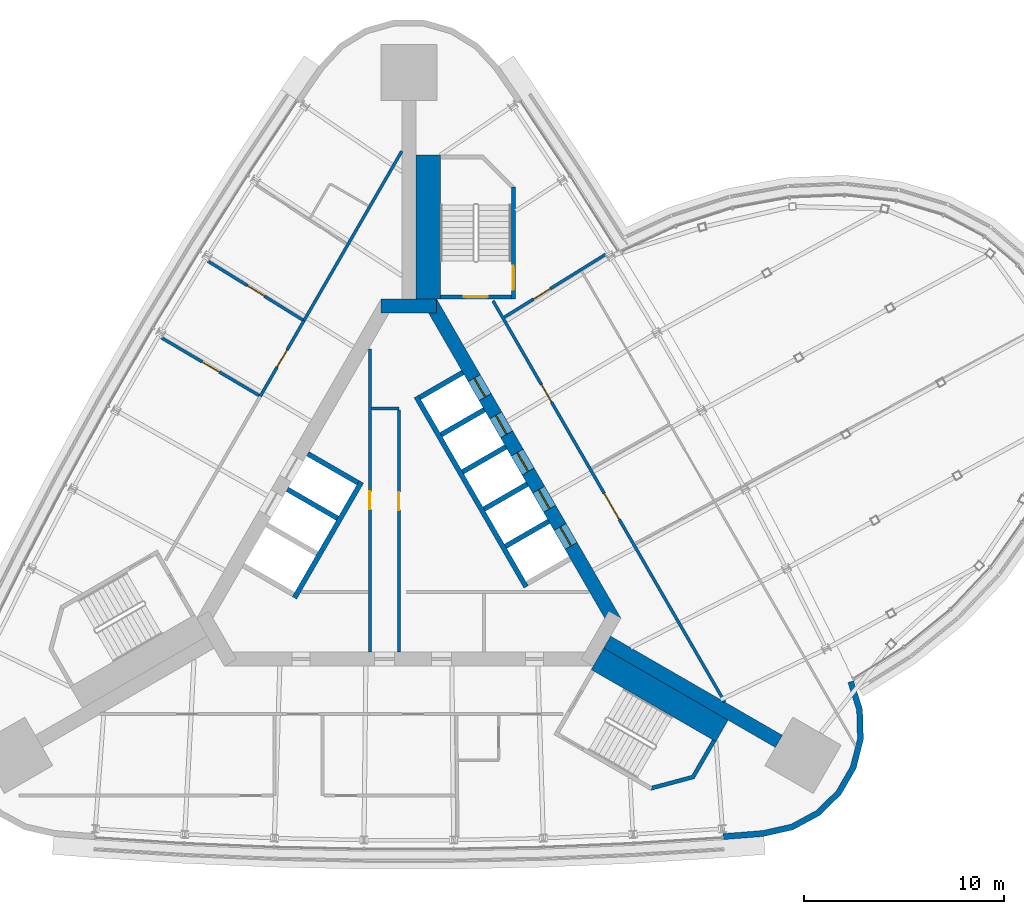
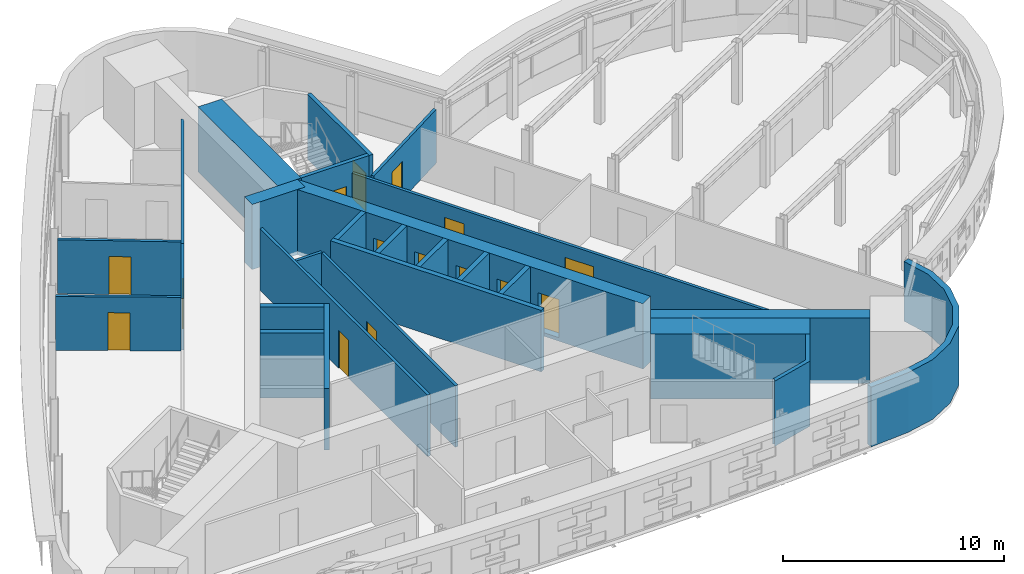
# One storey, part 11 of 15: 27 walls, 15 doors, 15 openings.
"""IFC4 building model written with IfcOpenShell, lengths in metres."""

from ifc_helpers import new_model, si_unit, direction, frame, frame_2d, origin, place, context, subcontext, project, spatial, polyline, rectangle, outline, extrude, material, layer, layer_set, type_object, element, fill, save


model = new_model("IFC4")

# Units and contexts
model_context = context("Model", 3, precision=1e-05, world=origin(), true_north=direction((0.0, 1.0)))
body_context = subcontext(model_context, "Body", "Model", "MODEL_VIEW")
ifc_project = project(units=[si_unit("LENGTHUNIT", "METRE"), si_unit("AREAUNIT", "SQUARE_METRE"), si_unit("VOLUMEUNIT", "CUBIC_METRE"), si_unit("PLANEANGLEUNIT", "RADIAN"), si_unit("MASSUNIT", "GRAM", prefix="KILO")], contexts=[model_context])

# Site, building, storey
site_placement = place(None, origin())
site = spatial("IfcSite", under=ifc_project, at=site_placement, CompositionType="ELEMENT")
building_placement = place(site_placement, origin())
building = spatial("IfcBuilding", under=site, at=building_placement, Name="Noor Cloister Tower", CompositionType="ELEMENT")
storey_placement = place(building_placement, frame((0.0, 0.0, 181.5)))
storey = spatial("IfcBuildingStorey", under=building, at=storey_placement, Name="L46", CompositionType="ELEMENT", Elevation=181.5)

# Wall
ifc_material_1 = material(Name="Concrete C70/85", Category="concrete")
ifc_layer_1 = layer(ifc_material_1, 0.699951171875)
ifc_layer_set_1 = layer_set([ifc_layer_1], Name="Buttress wall 700 C70/85")
wall_type_1 = type_object("IfcWallType", Name="Buttress wall 700 C70/85", PredefinedType="SHEAR", material=ifc_layer_set_1)
wall_1_placement = place(storey_placement, frame((9.921630859375, -5.728271484375, -0.199951171875), z_axis=(0.0, 0.0, 1.0), x_axis=(0.866029553954, -0.499992811627, 0.0)))
element("IfcWall", 1, at=wall_1_placement, inside=storey, type_object=wall_type_1, Name="Buttress wall SE L46", PredefinedType="SHEAR", context=body_context, shape_type="SweptSolid", body=[
    extrude(rectangle(XDim=9.927490234375, YDim=0.699951171875, at=frame_2d((4.9638671875, 0.0))), origin(), (0.0, 0.0, 1.0), 3.599853515625),
])

# Wall, opening, door
ifc_material_2 = material(Name="Concrete C30/37", Category="concrete")
ifc_layer_2 = layer(ifc_material_2, 0.14990234375)
ifc_layer_set_2 = layer_set([ifc_layer_2], Name="Core partition 150 C30/37")
wall_type_2 = type_object("IfcWallType", Name="Core partition 150 C30/37", PredefinedType="PARTITIONING", material=ifc_layer_set_2)
wall_2_placement = place(storey_placement, frame((-1.95361328125, 8.9423828125, 0.0), z_axis=(0.0, 0.0, 1.0), x_axis=(0.0, -1.0, 0.0)))
wall_2 = element("IfcWall", 2, at=wall_2_placement, inside=storey, type_object=wall_type_2, Name="Core room partition L46 2", PredefinedType="PARTITIONING", context=body_context, shape_type="SweptSolid", body=[
    extrude(rectangle(XDim=15.170654296875, YDim=0.14990234375, at=frame_2d((7.58544921875, 0.0))), origin(), (0.0, 0.0, 1.0), 3.39990234375),
])
opening_1_placement = place(wall_2_placement, frame((7.12060546875, 0.0, 0.0)))
opening_1 = element("IfcOpeningElement", 3, at=opening_1_placement, cuts=wall_2, Name="Opening L46-905", PredefinedType="OPENING", context=body_context, shape_type="SweptSolid", body=[
    extrude(rectangle(XDim=0.89990234375, YDim=2.10009765625, at=frame_2d((0.449951171875, 1.050048828125))), frame((0.0, 0.0849609375, 0.0), z_axis=(0.0, -1.0, 0.0), x_axis=(1.0, 0.0, 0.0)), (0.0, 0.0, 1.0), 0.169921875),
])
ifc_material_3 = material(Name="Steel", Category="steel")
door_type_1 = type_object("IfcDoorType", Name="Core door 900 x 2100 FD60", OperationType="SINGLE_SWING_LEFT", PredefinedType="DOOR", material=ifc_material_3)
door_1_placement = place(opening_1_placement, origin())
door_1 = element("IfcDoor", 4, at=door_1_placement, inside=storey, type_object=door_type_1, Name="Core door 5 L46", OperationType="SINGLE_SWING_LEFT", OverallHeight=2.10009765625, OverallWidth=0.89990234375, PredefinedType="DOOR", context=body_context, shape_type="SweptSolid", body=[
    extrude(rectangle(XDim=0.89990234375, YDim=2.10009765625, at=frame_2d((0.449951171875, 1.050048828125))), frame((0.0, 0.02490234375, 0.0), z_axis=(0.0, -1.0, 0.0), x_axis=(1.0, 0.0, 0.0)), (0.0, 0.0, 1.0), 0.050048828125),
])
fill(opening_1, door_1)

# Wall
wall_3_placement = place(storey_placement, frame((-1.878662109375, 5.9716796875, 0.0), z_axis=(0.0, 0.0, 1.0), x_axis=(1.0, 0.0, 0.0)))
element("IfcWall", 5, at=wall_3_placement, inside=storey, type_object=wall_type_2, Name="Core room partition L46 3", PredefinedType="PARTITIONING", context=body_context, shape_type="SweptSolid", body=[
    extrude(rectangle(XDim=1.375, YDim=0.14990234375, at=frame_2d((0.6875, 0.0))), origin(), (0.0, 0.0, 1.0), 3.39990234375),
])

# Wall, opening, door
wall_4_placement = place(storey_placement, frame((-0.503662109375, 5.896728515625, 0.0), z_axis=(0.0, 0.0, 1.0), x_axis=(0.0, -1.0, 0.0)))
wall_4 = element("IfcWall", 6, at=wall_4_placement, inside=storey, type_object=wall_type_2, Name="Core room partition L46 4", PredefinedType="PARTITIONING", context=body_context, shape_type="SweptSolid", body=[
    extrude(rectangle(XDim=12.125, YDim=0.14990234375, at=frame_2d((6.0625, 0.0))), origin(), (0.0, 0.0, 1.0), 3.39990234375),
])
opening_2_placement = place(wall_4_placement, frame((4.113525390625, 0.0, 0.0)))
opening_2 = element("IfcOpeningElement", 7, at=opening_2_placement, cuts=wall_4, Name="Opening L46-906", PredefinedType="OPENING", context=body_context, shape_type="SweptSolid", body=[
    extrude(rectangle(XDim=0.89990234375, YDim=2.10009765625, at=frame_2d((0.449951171875, 1.050048828125))), frame((0.0, 0.0849609375, 0.0), z_axis=(0.0, -1.0, 0.0), x_axis=(1.0, 0.0, 0.0)), (0.0, 0.0, 1.0), 0.169921875),
])
door_2_placement = place(opening_2_placement, origin())
door_2 = element("IfcDoor", 8, at=door_2_placement, inside=storey, type_object=door_type_1, Name="Core door 6 L46", OperationType="SINGLE_SWING_RIGHT", OverallHeight=2.10009765625, OverallWidth=0.89990234375, PredefinedType="DOOR", context=body_context, shape_type="SweptSolid", body=[
    extrude(rectangle(XDim=0.89990234375, YDim=2.10009765625, at=frame_2d((0.449951171875, 1.050048828125))), frame((0.0, 0.02490234375, 0.0), z_axis=(0.0, -1.0, 0.0), x_axis=(1.0, 0.0, 0.0)), (0.0, 0.0, 1.0), 0.050048828125),
])
fill(opening_2, door_2)

# Wall, openings, doors
ifc_material_4 = material(Name="Concrete C70/85", Category="concrete")
ifc_layer_3 = layer(ifc_material_4, 0.699951171875)
ifc_layer_set_3 = layer_set([ifc_layer_3], Name="Core wall 700 C70/85")
wall_type_3 = type_object("IfcWallType", Name="Core wall 700 C70/85", PredefinedType="SHEAR", material=ifc_layer_set_3)
wall_5_placement = place(storey_placement, frame((10.311279296875, -4.703125, -0.199951171875), z_axis=(0.0, 0.0, 1.0), x_axis=(-0.500001446645, 0.866024568562, 0.0)))
wall_5 = element("IfcWall", 9, at=wall_5_placement, inside=storey, type_object=wall_type_3, Name="Core wall L46 3", PredefinedType="SHEAR", context=body_context, shape_type="SweptSolid", body=[
    extrude(rectangle(XDim=18.45751953125, YDim=0.699951171875, at=frame_2d((9.228759765625, 0.0))), origin(), (0.0, 0.0, 1.0), 3.599853515625),
])
opening_3_placement = place(wall_5_placement, frame((4.378662109375, 0.0, 0.199951171875)))
opening_3 = element("IfcOpeningElement", 10, at=opening_3_placement, cuts=wall_5, Name="Opening L46-HR1", PredefinedType="OPENING", context=body_context, shape_type="SweptSolid", body=[
    extrude(rectangle(XDim=1.10009765625, YDim=2.10009765625, at=frame_2d((0.550048828125, 1.050048828125))), frame((0.0, 0.35986328125, 0.0), z_axis=(0.0, -1.0, 0.0), x_axis=(1.0, 0.0, 0.0)), (0.0, 0.0, 1.0), 0.719970703125),
])
opening_4_placement = place(wall_5_placement, frame((6.52880859375, 0.0, 0.199951171875)))
opening_4 = element("IfcOpeningElement", 11, at=opening_4_placement, cuts=wall_5, Name="Opening L46-HR2", PredefinedType="OPENING", context=body_context, shape_type="SweptSolid", body=[
    extrude(rectangle(XDim=1.10009765625, YDim=2.10009765625, at=frame_2d((0.550048828125, 1.050048828125))), frame((0.0, 0.35986328125, 0.0), z_axis=(0.0, -1.0, 0.0), x_axis=(1.0, 0.0, 0.0)), (0.0, 0.0, 1.0), 0.719970703125),
])
opening_5_placement = place(wall_5_placement, frame((8.6787109375, 0.0, 0.199951171875)))
opening_5 = element("IfcOpeningElement", 12, at=opening_5_placement, cuts=wall_5, Name="Opening L46-HR3", PredefinedType="OPENING", context=body_context, shape_type="SweptSolid", body=[
    extrude(rectangle(XDim=1.10009765625, YDim=2.10009765625, at=frame_2d((0.550048828125, 1.050048828125))), frame((0.0, 0.35986328125, 0.0), z_axis=(0.0, -1.0, 0.0), x_axis=(1.0, 0.0, 0.0)), (0.0, 0.0, 1.0), 0.719970703125),
])
opening_6_placement = place(wall_5_placement, frame((10.82861328125, 0.0, 0.199951171875)))
opening_6 = element("IfcOpeningElement", 13, at=opening_6_placement, cuts=wall_5, Name="Opening L46-HR4", PredefinedType="OPENING", context=body_context, shape_type="SweptSolid", body=[
    extrude(rectangle(XDim=1.10009765625, YDim=2.10009765625, at=frame_2d((0.550048828125, 1.050048828125))), frame((0.0, 0.35986328125, 0.0), z_axis=(0.0, -1.0, 0.0), x_axis=(1.0, 0.0, 0.0)), (0.0, 0.0, 1.0), 0.719970703125),
])
opening_7_placement = place(wall_5_placement, frame((12.978759765625, 0.0, 0.199951171875)))
opening_7 = element("IfcOpeningElement", 14, at=opening_7_placement, cuts=wall_5, Name="Opening L46-HR5", PredefinedType="OPENING", context=body_context, shape_type="SweptSolid", body=[
    extrude(rectangle(XDim=1.10009765625, YDim=2.10009765625, at=frame_2d((0.550048828125, 1.050048828125))), frame((0.0, 0.35986328125, 0.0), z_axis=(0.0, -1.0, 0.0), x_axis=(1.0, 0.0, 0.0)), (0.0, 0.0, 1.0), 0.719970703125),
])
ifc_material_5 = material(Name="Stainless steel", Category="steel")
door_type_2 = type_object("IfcDoorType", Name="Lift landing door 1100 x 2100", OperationType="DOUBLE_DOOR_SLIDING", PredefinedType="DOOR", material=ifc_material_5)
door_3_placement = place(opening_3_placement, origin())
door_3 = element("IfcDoor", 15, at=door_3_placement, inside=storey, type_object=door_type_2, Name="Landing door HR1 L46", OperationType="DOUBLE_DOOR_SLIDING", OverallHeight=2.10009765625, OverallWidth=1.10009765625, PredefinedType="DOOR", context=body_context, shape_type="SweptSolid", body=[
    extrude(rectangle(XDim=1.10009765625, YDim=2.10009765625, at=frame_2d((0.550048828125, 1.050048828125))), frame((0.0, 0.02490234375, 0.0), z_axis=(0.0, -1.0, 0.0), x_axis=(1.0, 0.0, 0.0)), (0.0, 0.0, 1.0), 0.050048828125),
])
fill(opening_3, door_3)
door_4_placement = place(opening_4_placement, origin())
door_4 = element("IfcDoor", 16, at=door_4_placement, inside=storey, type_object=door_type_2, Name="Landing door HR2 L46", OperationType="DOUBLE_DOOR_SLIDING", OverallHeight=2.10009765625, OverallWidth=1.10009765625, PredefinedType="DOOR", context=body_context, shape_type="SweptSolid", body=[
    extrude(rectangle(XDim=1.10009765625, YDim=2.10009765625, at=frame_2d((0.550048828125, 1.050048828125))), frame((0.0, 0.02490234375, 0.0), z_axis=(0.0, -1.0, 0.0), x_axis=(1.0, 0.0, 0.0)), (0.0, 0.0, 1.0), 0.050048828125),
])
fill(opening_4, door_4)
door_5_placement = place(opening_5_placement, origin())
door_5 = element("IfcDoor", 17, at=door_5_placement, inside=storey, type_object=door_type_2, Name="Landing door HR3 L46", OperationType="DOUBLE_DOOR_SLIDING", OverallHeight=2.10009765625, OverallWidth=1.10009765625, PredefinedType="DOOR", context=body_context, shape_type="SweptSolid", body=[
    extrude(rectangle(XDim=1.10009765625, YDim=2.10009765625, at=frame_2d((0.550048828125, 1.050048828125))), frame((0.0, 0.02490234375, 0.0), z_axis=(0.0, -1.0, 0.0), x_axis=(1.0, 0.0, 0.0)), (0.0, 0.0, 1.0), 0.050048828125),
])
fill(opening_5, door_5)
door_6_placement = place(opening_6_placement, origin())
door_6 = element("IfcDoor", 18, at=door_6_placement, inside=storey, type_object=door_type_2, Name="Landing door HR4 L46", OperationType="DOUBLE_DOOR_SLIDING", OverallHeight=2.10009765625, OverallWidth=1.10009765625, PredefinedType="DOOR", context=body_context, shape_type="SweptSolid", body=[
    extrude(rectangle(XDim=1.10009765625, YDim=2.10009765625, at=frame_2d((0.550048828125, 1.050048828125))), frame((0.0, 0.02490234375, 0.0), z_axis=(0.0, -1.0, 0.0), x_axis=(1.0, 0.0, 0.0)), (0.0, 0.0, 1.0), 0.050048828125),
])
fill(opening_6, door_6)
door_7_placement = place(opening_7_placement, origin())
door_7 = element("IfcDoor", 19, at=door_7_placement, inside=storey, type_object=door_type_2, Name="Landing door HR5 L46", OperationType="DOUBLE_DOOR_SLIDING", OverallHeight=2.10009765625, OverallWidth=1.10009765625, PredefinedType="DOOR", context=body_context, shape_type="SweptSolid", body=[
    extrude(rectangle(XDim=1.10009765625, YDim=2.10009765625, at=frame_2d((0.550048828125, 1.050048828125))), frame((0.0, 0.02490234375, 0.0), z_axis=(0.0, -1.0, 0.0), x_axis=(1.0, 0.0, 0.0)), (0.0, 0.0, 1.0), 0.050048828125),
])
fill(opening_7, door_7)

# Walls
wall_6_placement = place(storey_placement, frame((1.3857421875, 11.1064453125, -0.199951171875), z_axis=(0.0, 0.0, 1.0), x_axis=(-1.0, 0.0, 0.0)))
element("IfcWall", 20, at=wall_6_placement, inside=storey, type_object=wall_type_3, Name="Core wall L46 4", PredefinedType="SHEAR", context=body_context, shape_type="SweptSolid", body=[
    extrude(rectangle(XDim=2.771484375, YDim=0.699951171875, at=frame_2d((1.3857421875, 0.0))), origin(), (0.0, 0.0, 1.0), 3.599853515625),
])
ifc_material_6 = material(Name="Fire-rated gypsum board partition on steel studs, 150 mm", Category="steel")
ifc_layer_4 = layer(ifc_material_6, 0.14990234375)
ifc_layer_set_4 = layer_set([ifc_layer_4], Name="Fire lobby wall 150")
wall_type_4 = type_object("IfcWallType", Name="Fire lobby wall 150", PredefinedType="PARTITIONING", material=ifc_layer_set_4)
wall_7_placement = place(storey_placement, frame((-0.35009765625, 18.85009765625, 0.0), z_axis=(0.0, 0.0, 1.0), x_axis=(-0.499985463203, -0.866033796445, 0.0)))
element("IfcWall", 21, at=wall_7_placement, inside=storey, type_object=wall_type_4, Name="Wall L46-W18", PredefinedType="PARTITIONING", context=body_context, shape_type="SweptSolid", body=[
    extrude(rectangle(XDim=9.802978515625, YDim=0.14990234375, at=frame_2d((4.9013671875, 0.0))), origin(), (0.0, 0.0, 1.0), 2.846923828125),
])

# Wall, opening, door
wall_8_placement = place(storey_placement, frame((-5.25146484375, 10.3603515625, 0.0), z_axis=(0.0, 0.0, 1.0), x_axis=(-0.500012937857, -0.86601793398, 0.0)))
wall_8 = element("IfcWall", 22, at=wall_8_placement, inside=storey, type_object=wall_type_4, Name="Wall L46-W22", PredefinedType="PARTITIONING", context=body_context, shape_type="SweptSolid", body=[
    extrude(rectangle(XDim=4.365234375, YDim=0.14990234375, at=frame_2d((2.1826171875, 0.0))), origin(), (0.0, 0.0, 1.0), 2.846923828125),
])
opening_8_placement = place(wall_8_placement, frame((1.6826171875, 0.0, 0.0)))
opening_8 = element("IfcOpeningElement", 23, at=opening_8_placement, cuts=wall_8, Name="Opening L46-015", PredefinedType="OPENING", context=body_context, shape_type="SweptSolid", body=[
    extrude(rectangle(XDim=1.0, YDim=2.10009765625, at=frame_2d((0.5, 1.050048828125))), frame((0.0, 0.0849609375, 0.0), z_axis=(0.0, -1.0, 0.0), x_axis=(1.0, 0.0, 0.0)), (0.0, 0.0, 1.0), 0.169921875),
])
ifc_material_7 = material(Name="Timber door leaf with steel frame", Category="steel")
door_type_3 = type_object("IfcDoorType", Name="Fire lobby door 1000", OperationType="NOTDEFINED", PredefinedType="DOOR", material=ifc_material_7)
door_8_placement = place(opening_8_placement, origin())
door_8 = element("IfcDoor", 24, at=door_8_placement, inside=storey, type_object=door_type_3, Name="Door L46-015", OperationType="SINGLE_SWING_LEFT", OverallHeight=2.10009765625, OverallWidth=1.0, PredefinedType="DOOR", context=body_context, shape_type="SweptSolid", body=[
    extrude(rectangle(XDim=1.0, YDim=2.10009765625, at=frame_2d((0.5, 1.050048828125))), frame((0.0, 0.02490234375, 0.0), z_axis=(0.0, -1.0, 0.0), x_axis=(1.0, 0.0, 0.0)), (0.0, 0.0, 1.0), 0.050048828125),
])
fill(opening_8, door_8)

# Wall, openings, doors
ifc_material_8 = material(Name="Gypsum board partition on steel studs, 150 mm", Category="steel")
ifc_layer_5 = layer(ifc_material_8, 0.14990234375)
ifc_layer_set_5 = layer_set([ifc_layer_5], Name="Flat wall 150")
wall_type_5 = type_object("IfcWallType", Name="Flat wall 150", PredefinedType="PARTITIONING", material=ifc_layer_set_5)
wall_9_placement = place(storey_placement, frame((15.806884765625, -8.721923828125, 0.0), z_axis=(0.0, 0.0, 1.0), x_axis=(-0.500001078133, 0.866024781323, 0.0)))
wall_9 = element("IfcWall", 25, at=wall_9_placement, inside=storey, type_object=wall_type_5, Name="Wall L46-W01", PredefinedType="PARTITIONING", context=body_context, shape_type="SweptSolid", body=[
    extrude(rectangle(XDim=23.1845703125, YDim=0.14990234375, at=frame_2d((11.59228515625, 0.0))), origin(), (0.0, 0.0, 1.0), 2.846923828125),
])
opening_9_placement = place(wall_9_placement, frame((10.55126953125, 0.0, 0.0)))
opening_9 = element("IfcOpeningElement", 26, at=opening_9_placement, cuts=wall_9, Name="Opening L46-001", PredefinedType="OPENING", context=body_context, shape_type="SweptSolid", body=[
    extrude(rectangle(XDim=1.5, YDim=2.10009765625, at=frame_2d((0.75, 1.050048828125))), frame((0.0, 0.0849609375, 0.0), z_axis=(0.0, -1.0, 0.0), x_axis=(1.0, 0.0, 0.0)), (0.0, 0.0, 1.0), 0.169921875),
])
opening_10_placement = place(wall_9_placement, frame((17.335205078125, 0.0, 0.0)))
opening_10 = element("IfcOpeningElement", 27, at=opening_10_placement, cuts=wall_9, Name="Opening L46-006", PredefinedType="OPENING", context=body_context, shape_type="SweptSolid", body=[
    extrude(rectangle(XDim=1.0, YDim=2.10009765625, at=frame_2d((0.5, 1.050048828125))), frame((0.0, 0.0849609375, 0.0), z_axis=(0.0, -1.0, 0.0), x_axis=(1.0, 0.0, 0.0)), (0.0, 0.0, 1.0), 0.169921875),
])
ifc_material_9 = material(Name="Timber door leaf with steel frame", Category="steel")
door_type_4 = type_object("IfcDoorType", Name="Double door 1500 FD60", OperationType="NOTDEFINED", PredefinedType="DOOR", material=ifc_material_9)
door_9_placement = place(opening_9_placement, origin())
door_9 = element("IfcDoor", 28, at=door_9_placement, inside=storey, type_object=door_type_4, Name="Door L46-001", OperationType="DOUBLE_DOOR_SINGLE_SWING", OverallHeight=2.10009765625, OverallWidth=1.5, PredefinedType="DOOR", context=body_context, shape_type="SweptSolid", body=[
    extrude(rectangle(XDim=1.5, YDim=2.10009765625, at=frame_2d((0.75, 1.050048828125))), frame((0.0, 0.02490234375, 0.0), z_axis=(0.0, -1.0, 0.0), x_axis=(1.0, 0.0, 0.0)), (0.0, 0.0, 1.0), 0.050048828125),
])
fill(opening_9, door_9)
ifc_material_10 = material(Name="Timber door leaf with steel frame", Category="steel")
door_type_5 = type_object("IfcDoorType", Name="Interior door 1000 FD60", OperationType="NOTDEFINED", PredefinedType="DOOR", material=ifc_material_10)
door_10_placement = place(opening_10_placement, origin())
door_10 = element("IfcDoor", 29, at=door_10_placement, inside=storey, type_object=door_type_5, Name="Door L46-006", OperationType="SINGLE_SWING_RIGHT", OverallHeight=2.10009765625, OverallWidth=1.0, PredefinedType="DOOR", context=body_context, shape_type="SweptSolid", body=[
    extrude(rectangle(XDim=1.0, YDim=2.10009765625, at=frame_2d((0.5, 1.050048828125))), frame((0.0, 0.02490234375, 0.0), z_axis=(0.0, -1.0, 0.0), x_axis=(1.0, 0.0, 0.0)), (0.0, 0.0, 1.0), 0.050048828125),
])
fill(opening_10, door_10)

# Wall, opening, door
wall_10_placement = place(storey_placement, frame((9.85595703125, 13.6884765625, 0.0), z_axis=(0.0, 0.0, 1.0), x_axis=(-0.849698198213, -0.527269354271, 0.0)))
wall_10 = element("IfcWall", 30, at=wall_10_placement, inside=storey, type_object=wall_type_5, Name="Wall L46-W02", PredefinedType="PARTITIONING", context=body_context, shape_type="SweptSolid", body=[
    extrude(rectangle(XDim=5.9794921875, YDim=0.14990234375, at=frame_2d((2.98974609375, 0.0))), origin(), (0.0, 0.0, 1.0), 2.97412109375),
])
opening_11_placement = place(wall_10_placement, frame((3.263671875, 0.0, 0.0)))
opening_11 = element("IfcOpeningElement", 31, at=opening_11_placement, cuts=wall_10, Name="Opening L46-007", PredefinedType="OPENING", context=body_context, shape_type="SweptSolid", body=[
    extrude(rectangle(XDim=1.0, YDim=2.10009765625, at=frame_2d((0.5, 1.050048828125))), frame((0.0, 0.0849609375, 0.0), z_axis=(0.0, -1.0, 0.0), x_axis=(1.0, 0.0, 0.0)), (0.0, 0.0, 1.0), 0.169921875),
])
door_11_placement = place(opening_11_placement, origin())
door_11 = element("IfcDoor", 32, at=door_11_placement, inside=storey, type_object=door_type_5, Name="Door L46-007", OperationType="SINGLE_SWING_LEFT", OverallHeight=2.10009765625, OverallWidth=1.0, PredefinedType="DOOR", context=body_context, shape_type="SweptSolid", body=[
    extrude(rectangle(XDim=1.0, YDim=2.10009765625, at=frame_2d((0.5, 1.050048828125))), frame((0.0, 0.02490234375, 0.0), z_axis=(0.0, -1.0, 0.0), x_axis=(1.0, 0.0, 0.0)), (0.0, 0.0, 1.0), 0.050048828125),
])
fill(opening_11, door_11)

wall_11_placement = place(storey_placement, frame((-10.06689453125, 13.348388671875, 0.0), z_axis=(0.0, 0.0, 1.0), x_axis=(0.84969615017, -0.527272654692, 0.0)))
wall_11 = element("IfcWall", 33, at=wall_11_placement, inside=storey, type_object=wall_type_5, Name="Wall L46-W20", PredefinedType="PARTITIONING", context=body_context, shape_type="SweptSolid", body=[
    extrude(rectangle(XDim=5.592041015625, YDim=0.14990234375, at=frame_2d((2.7958984375, 0.0))), origin(), (0.0, 0.0, 1.0), 2.97412109375),
])
opening_12_placement = place(wall_11_placement, frame((2.33349609375, 0.0, 0.0)))
opening_12 = element("IfcOpeningElement", 34, at=opening_12_placement, cuts=wall_11, Name="Opening L46-018", PredefinedType="OPENING", context=body_context, shape_type="SweptSolid", body=[
    extrude(rectangle(XDim=1.0, YDim=2.10009765625, at=frame_2d((0.5, 1.050048828125))), frame((0.0, 0.0849609375, 0.0), z_axis=(0.0, -1.0, 0.0), x_axis=(1.0, 0.0, 0.0)), (0.0, 0.0, 1.0), 0.169921875),
])
ifc_material_11 = material(Name="Timber door leaf with steel frame", Category="steel")
door_type_6 = type_object("IfcDoorType", Name="Flat entrance door 1000", OperationType="NOTDEFINED", PredefinedType="DOOR", material=ifc_material_11)
door_12_placement = place(opening_12_placement, origin())
door_12 = element("IfcDoor", 35, at=door_12_placement, inside=storey, type_object=door_type_6, Name="Door L46-018", OperationType="SINGLE_SWING_RIGHT", OverallHeight=2.10009765625, OverallWidth=1.0, PredefinedType="DOOR", context=body_context, shape_type="SweptSolid", body=[
    extrude(rectangle(XDim=1.0, YDim=2.10009765625, at=frame_2d((0.5, 1.050048828125))), frame((0.0, 0.02490234375, 0.0), z_axis=(0.0, -1.0, 0.0), x_axis=(1.0, 0.0, 0.0)), (0.0, 0.0, 1.0), 0.050048828125),
])
fill(opening_12, door_12)

wall_12_placement = place(storey_placement, frame((-12.3876953125, 9.510498046875, 0.0), z_axis=(0.0, 0.0, 1.0), x_axis=(0.860691995407, -0.509126005073, 0.0)))
wall_12 = element("IfcWall", 36, at=wall_12_placement, inside=storey, type_object=wall_type_5, Name="Wall L46-W21", PredefinedType="PARTITIONING", context=body_context, shape_type="SweptSolid", body=[
    extrude(rectangle(XDim=5.680419921875, YDim=0.14990234375, at=frame_2d((2.84033203125, 0.0))), origin(), (0.0, 0.0, 1.0), 2.97412109375),
])
opening_13_placement = place(wall_12_placement, frame((2.377685546875, 0.0, 0.0)))
opening_13 = element("IfcOpeningElement", 37, at=opening_13_placement, cuts=wall_12, Name="Opening L46-019", PredefinedType="OPENING", context=body_context, shape_type="SweptSolid", body=[
    extrude(rectangle(XDim=1.0, YDim=2.10009765625, at=frame_2d((0.5, 1.050048828125))), frame((0.0, 0.0849609375, 0.0), z_axis=(0.0, -1.0, 0.0), x_axis=(1.0, 0.0, 0.0)), (0.0, 0.0, 1.0), 0.169921875),
])
door_13_placement = place(opening_13_placement, origin())
door_13 = element("IfcDoor", 38, at=door_13_placement, inside=storey, type_object=door_type_5, Name="Door L46-019", OperationType="SINGLE_SWING_LEFT", OverallHeight=2.10009765625, OverallWidth=1.0, PredefinedType="DOOR", context=body_context, shape_type="SweptSolid", body=[
    extrude(rectangle(XDim=1.0, YDim=2.10009765625, at=frame_2d((0.5, 1.050048828125))), frame((0.0, 0.02490234375, 0.0), z_axis=(0.0, -1.0, 0.0), x_axis=(1.0, 0.0, 0.0)), (0.0, 0.0, 1.0), 0.050048828125),
])
fill(opening_13, door_13)

# Walls
ifc_material_12 = material(Name="Limestone", Category="masonry")
ifc_layer_6 = layer(ifc_material_12, 0.300048828125)
ifc_layer_set_6 = layer_set([ifc_layer_6], Name="Limestone cladding 300")
wall_type_6 = type_object("IfcWallType", Name="Limestone cladding 300", PredefinedType="NOTDEFINED", material=ifc_layer_set_6)
wall_13_placement = place(storey_placement, origin())
element("IfcWall", 39, at=wall_13_placement, inside=storey, type_object=wall_type_6, Name="Limestone pier cladding L46 2.1", PredefinedType="NOTDEFINED", context=body_context, shape_type="SweptSolid", body=[
    extrude(outline(polyline([(15.735595703125, -15.611572265625), (17.76806640625, -15.450927734375), (19.234130859375, -15.120849609375), (20.55517578125, -14.405029296875), (21.632080078125, -13.35693359375), (22.38330078125, -12.055419921875), (22.752685546875, -10.598876953125), (22.712158203125, -9.096923828125), (22.264892578125, -7.662353515625), (21.978515625, -7.75146484375), (22.413330078125, -9.146484375), (22.45166015625, -10.5654296875), (22.102783203125, -11.94140625), (21.39306640625, -13.1708984375), (20.375732421875, -14.160888671875), (19.127685546875, -14.83740234375), (17.72314453125, -15.153564453125), (15.7119140625, -15.3125), (15.735595703125, -15.611572265625)])), origin(), (0.0, 0.0, 1.0), 3.300048828125),
])
ifc_material_13 = material(Name="Concrete C70/85", Category="concrete")
ifc_layer_7 = layer(ifc_material_13, 0.25)
ifc_layer_set_7 = layer_set([ifc_layer_7], Name="Shaft wall 250 C70/85")
wall_type_7 = type_object("IfcWallType", Name="Shaft wall 250 C70/85", PredefinedType="PARTITIONING", material=ifc_layer_set_7)
wall_14_placement = place(storey_placement, frame((7.00634765625, 0.3212890625, -0.199951171875), z_axis=(0.0, 0.0, 1.0), x_axis=(-0.866022959057, -0.500004234368, 0.0)))
element("IfcWall", 40, at=wall_14_placement, inside=storey, type_object=wall_type_7, Name="Lift shaft wall L46 NE 2", PredefinedType="PARTITIONING", context=body_context, shape_type="SweptSolid", body=[
    extrude(rectangle(XDim=2.5, YDim=0.25, at=frame_2d((1.25, 0.0))), origin(), (0.0, 0.0, 1.0), 3.599853515625),
])
wall_15_placement = place(storey_placement, frame((5.931396484375, 2.18310546875, -0.199951171875), z_axis=(0.0, 0.0, 1.0), x_axis=(-0.866047370643, -0.499961950354, 0.0)))
element("IfcWall", 41, at=wall_15_placement, inside=storey, type_object=wall_type_7, Name="Lift shaft wall L46 NE 3", PredefinedType="PARTITIONING", context=body_context, shape_type="SweptSolid", body=[
    extrude(rectangle(XDim=2.500244140625, YDim=0.25, at=frame_2d((1.25, 0.0))), origin(), (0.0, 0.0, 1.0), 3.599853515625),
])
for number, where, z_axis, x_axis, name in (
    (42, (4.856201171875, 4.045166015625, -0.199951171875), (0.0, 0.0, 1.0), (-0.866022959057, -0.500004234368, 0.0), "Lift shaft wall L46 NE 4"),
    (43, (3.78125, 5.906982421875, -0.199951171875), (0.0, 0.0, 1.0), (-0.866022959057, -0.500004234368, 0.0), "Lift shaft wall L46 NE 5"),
    (44, (2.706298828125, 7.76904296875, -0.199951171875), (0.0, 0.0, 1.0), (-0.866022959057, -0.500004234368, 0.0), "Lift shaft wall L46 NE 6"),
):
    element("IfcWall", number, at=place(storey_placement, frame(where, z_axis=z_axis, x_axis=x_axis)), inside=storey, type_object=wall_type_7, Name=name, PredefinedType="PARTITIONING", context=body_context, shape_type="SweptSolid", body=[
        extrude(rectangle(XDim=2.5, YDim=0.25, at=frame_2d((1.25, 0.0))), origin(), (0.0, 0.0, 1.0), 3.599853515625),
    ])
wall_16_placement = place(storey_placement, frame((5.870361328125, -2.96142578125, 0.0), z_axis=(0.0, 0.0, 1.0), x_axis=(-0.50000615651, 0.866021849293, 0.0)))
element("IfcWall", 45, at=wall_16_placement, inside=storey, type_object=wall_type_7, Name="Lift shaft back wall L46 NE", PredefinedType="PARTITIONING", context=body_context, shape_type="SweptSolid", body=[
    extrude(rectangle(XDim=10.999755859375, YDim=0.25, at=frame_2d((5.5, 0.0))), origin(), (0.0, 0.0, 1.0), 3.39990234375),
])
for number, where, z_axis, x_axis, name in (
    (46, (-5.056396484375, 3.69873046875, -0.199951171875), (0.0, 0.0, 1.0), (0.866032775405, -0.499987231761, 0.0), "Lift shaft wall L46 NW 3"),
    (47, (-6.081298828125, 1.92333984375, -0.199951171875), (0.0, 0.0, 1.0), (0.866032775405, -0.499987231761, 0.0), "Lift shaft wall L46 NW 4"),
):
    element("IfcWall", number, at=place(storey_placement, frame(where, z_axis=z_axis, x_axis=x_axis)), inside=storey, type_object=wall_type_7, Name=name, PredefinedType="PARTITIONING", context=body_context, shape_type="SweptSolid", body=[
        extrude(rectangle(XDim=2.89990234375, YDim=0.25, at=frame_2d((1.449951171875, 0.0))), origin(), (0.0, 0.0, 1.0), 3.599853515625),
    ])
wall_17_placement = place(storey_placement, frame((-2.3740234375, 2.29443359375, 0.0), z_axis=(0.0, 0.0, 1.0), x_axis=(-0.500003174267, -0.866023571113, 0.0)))
element("IfcWall", 48, at=wall_17_placement, inside=storey, type_object=wall_type_7, Name="Lift shaft back wall L46 NW", PredefinedType="PARTITIONING", context=body_context, shape_type="SweptSolid", body=[
    extrude(rectangle(XDim=6.7001953125, YDim=0.25, at=frame_2d((3.35009765625, 0.0))), origin(), (0.0, 0.0, 1.0), 3.39990234375),
])
ifc_material_14 = material(Name="Concrete C70/85", Category="concrete")
ifc_layer_8 = layer(ifc_material_14, 1.236083984375)
ifc_layer_set_8 = layer_set([ifc_layer_8], Name="Stair enclosure wall 1236 C70/85")
wall_type_8 = type_object("IfcWallType", Name="Stair enclosure wall 1236 C70/85", PredefinedType="SHEAR", material=ifc_layer_set_8)
for number, where, z_axis, x_axis, name in (
    (49, (0.9677734375, 11.456298828125, -0.199951171875), (0.0, 0.0, 1.0), (0.0, 1.0, 0.0), "Stair enclosure wall ST1 L46 riser side"),
    (50, (9.4375, -6.56640625, -0.199951171875), (0.0, 0.0, 1.0), (0.866026919366, -0.499997374926, 0.0), "Stair enclosure wall ST3 L46 riser side"),
):
    element("IfcWall", number, at=place(storey_placement, frame(where, z_axis=z_axis, x_axis=x_axis)), inside=storey, type_object=wall_type_8, Name=name, PredefinedType="SHEAR", context=body_context, shape_type="SweptSolid", body=[
        extrude(rectangle(XDim=7.2001953125, YDim=1.235595703125, at=frame_2d((3.60009765625, 0.0))), origin(), (0.0, 0.0, 1.0), 3.599853515625),
    ])

# Wall, opening, door
ifc_material_15 = material(Name="Concrete C70/85", Category="concrete")
ifc_layer_9 = layer(ifc_material_15, 0.199951171875)
ifc_layer_set_9 = layer_set([ifc_layer_9], Name="Stair enclosure wall 200 C70/85")
wall_type_9 = type_object("IfcWallType", Name="Stair enclosure wall 200 C70/85", PredefinedType="SHEAR", material=ifc_layer_set_9)
wall_18_placement = place(storey_placement, frame((5.135498046875, 11.556396484375, -0.199951171875), z_axis=(0.0, 0.0, 1.0), x_axis=(-1.0, 0.0, 0.0)))
wall_18 = element("IfcWall", 51, at=wall_18_placement, inside=storey, type_object=wall_type_9, Name="Stair enclosure wall ST1 L46 near end", PredefinedType="SHEAR", context=body_context, shape_type="SweptSolid", body=[
    extrude(rectangle(XDim=3.5498046875, YDim=0.199951171875, at=frame_2d((1.77490234375, 0.0))), origin(), (0.0, 0.0, 1.0), 3.599853515625),
])
opening_14_placement = place(wall_18_placement, frame((1.175048828125, 0.0, 0.199951171875)))
opening_14 = element("IfcOpeningElement", 52, at=opening_14_placement, cuts=wall_18, Name="Opening L46-ST1L", PredefinedType="OPENING", context=body_context, shape_type="SweptSolid", body=[
    extrude(rectangle(XDim=1.199951171875, YDim=2.10009765625, at=frame_2d((0.60009765625, 1.050048828125))), frame((0.0, 0.10986328125, 0.0), z_axis=(0.0, -1.0, 0.0), x_axis=(1.0, 0.0, 0.0)), (0.0, 0.0, 1.0), 0.219970703125),
])
ifc_material_16 = material(Name="Steel", Category="steel")
door_type_7 = type_object("IfcDoorType", Name="Stair door 1200 x 2100 FD120", OperationType="SINGLE_SWING_LEFT", PredefinedType="DOOR", material=ifc_material_16)
door_14_placement = place(opening_14_placement, origin())
door_14 = element("IfcDoor", 53, at=door_14_placement, inside=storey, type_object=door_type_7, Name="Stair door ST1 L46", OperationType="SINGLE_SWING_RIGHT", OverallHeight=2.10009765625, OverallWidth=1.199951171875, PredefinedType="DOOR", context=body_context, shape_type="SweptSolid", body=[
    extrude(rectangle(XDim=1.199951171875, YDim=2.10009765625, at=frame_2d((0.60009765625, 1.050048828125))), frame((0.0, 0.02490234375, 0.0), z_axis=(0.0, -1.0, 0.0), x_axis=(1.0, 0.0, 0.0)), (0.0, 0.0, 1.0), 0.050048828125),
])
fill(opening_14, door_14)

wall_19_placement = place(storey_placement, frame((5.235595703125, 11.456298828125, -0.199951171875), z_axis=(0.0, 0.0, 1.0), x_axis=(0.0, 1.0, 0.0)))
wall_19 = element("IfcWall", 54, at=wall_19_placement, inside=storey, type_object=wall_type_9, Name="Stair enclosure wall ST1 L46 outer side", PredefinedType="SHEAR", context=body_context, shape_type="SweptSolid", body=[
    extrude(rectangle(XDim=5.60009765625, YDim=0.199951171875, at=frame_2d((2.800048828125, 0.0))), origin(), (0.0, 0.0, 1.0), 3.599853515625),
])
opening_15_placement = place(wall_19_placement, frame((0.449951171875, 0.0, 0.199951171875)))
opening_15 = element("IfcOpeningElement", 55, at=opening_15_placement, cuts=wall_19, Name="Opening L46-ST1C", PredefinedType="OPENING", context=body_context, shape_type="SweptSolid", body=[
    extrude(rectangle(XDim=1.199951171875, YDim=2.10009765625, at=frame_2d((0.60009765625, 1.050048828125))), frame((0.0, 0.10986328125, 0.0), z_axis=(0.0, -1.0, 0.0), x_axis=(1.0, 0.0, 0.0)), (0.0, 0.0, 1.0), 0.219970703125),
])
door_15_placement = place(opening_15_placement, origin())
door_15 = element("IfcDoor", 56, at=door_15_placement, inside=storey, type_object=door_type_7, Name="Stair door ST1 L46", OperationType="SINGLE_SWING_LEFT", OverallHeight=2.10009765625, OverallWidth=1.199951171875, PredefinedType="DOOR", context=body_context, shape_type="SweptSolid", body=[
    extrude(rectangle(XDim=1.199951171875, YDim=2.10009765625, at=frame_2d((0.60009765625, 1.050048828125))), frame((0.0, 0.02490234375, 0.0), z_axis=(0.0, -1.0, 0.0), x_axis=(1.0, 0.0, 0.0)), (0.0, 0.0, 1.0), 0.050048828125),
])
fill(opening_15, door_15)

# Wall
ifc_material_17 = material(Name="Concrete C70/85", Category="concrete")
wall_type_10 = type_object("IfcWallType", Name="Stair far end wall C70/85", PredefinedType="SHEAR", material=ifc_material_17)
wall_20_placement = place(storey_placement, frame((0.0, 0.0, -0.199951171875)))
element("IfcWall", 57, at=wall_20_placement, inside=storey, type_object=wall_type_10, Name="Stair enclosure wall ST3 L46 far end", PredefinedType="SHEAR", context=body_context, shape_type="SweptSolid", body=[
    extrude(outline(polyline([(12.103515625, -13.14892578125), (14.2890625, -12.5634765625), (15.364013671875, -10.701416015625), (15.19091796875, -10.601318359375), (14.1572265625, -12.3916015625), (12.131591796875, -12.934326171875), (12.20361328125, -12.975830078125), (12.20361328125, -12.975830078125), (12.20361328125, -12.975830078125), (12.20361328125, -12.975830078125), (12.20361328125, -12.975830078125), (12.20361328125, -12.975830078125), (12.20361328125, -12.975830078125), (12.20361328125, -12.975830078125), (12.20361328125, -12.975830078125), (12.20361328125, -12.975830078125), (12.20361328125, -12.975830078125), (12.20361328125, -12.975830078125), (12.20361328125, -12.975830078125), (12.20361328125, -12.975830078125), (12.20361328125, -12.975830078125), (12.20361328125, -12.975830078125), (12.20361328125, -12.975830078125), (12.103515625, -13.14892578125)])), origin(), (0.0, 0.0, 1.0), 3.599853515625),
])

save(model, "model.ifc")
